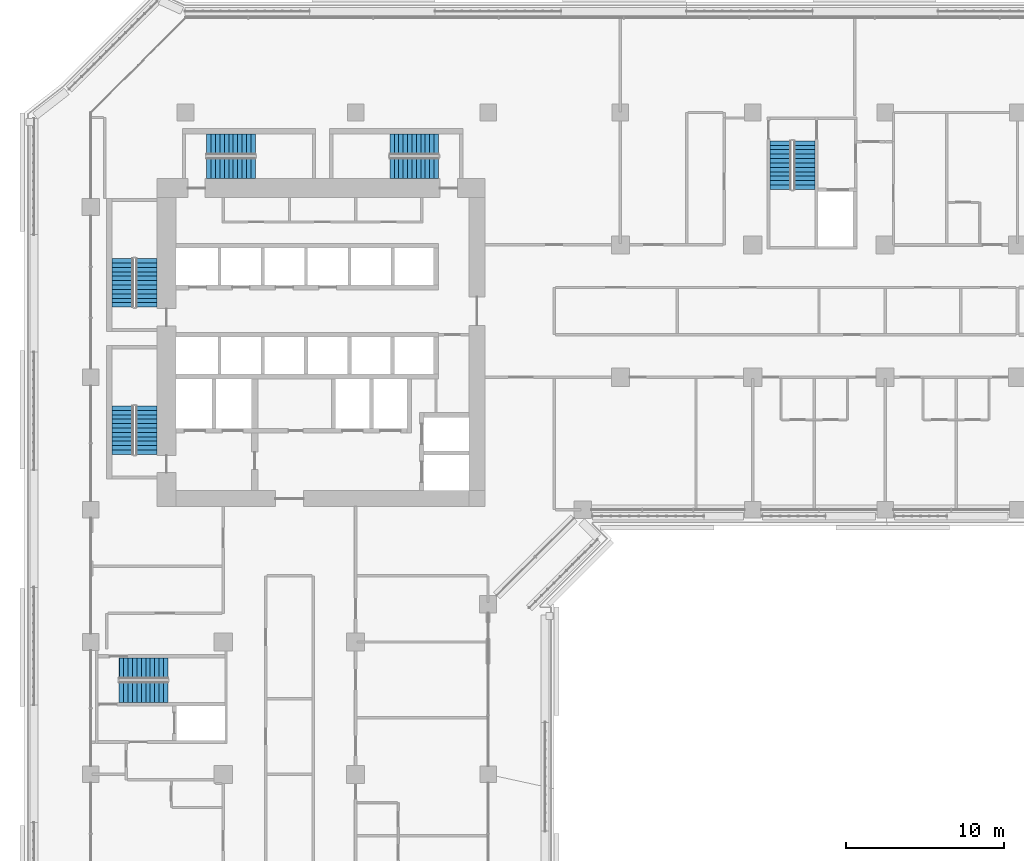
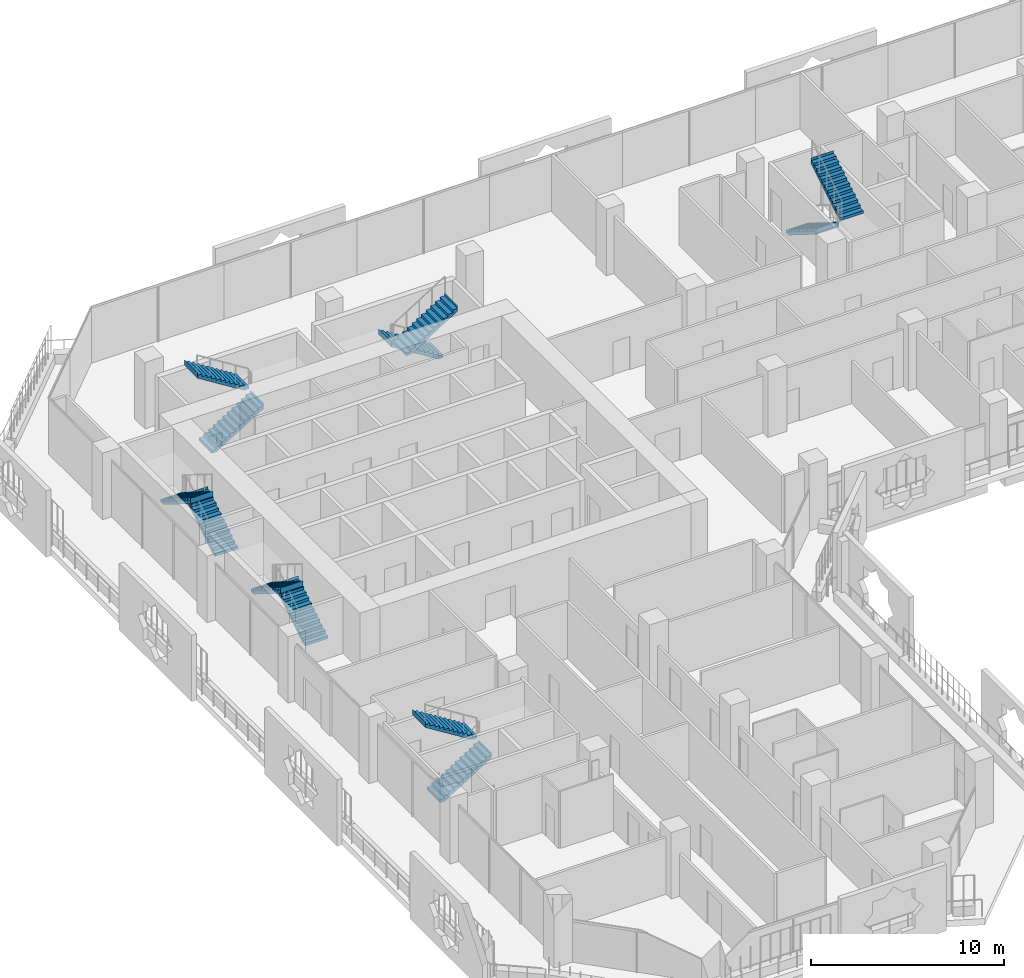
# One storey, part 18 of 25: 12 stair flights, 6 elements without a shape of their own.
"""IFC4 building model written with IfcOpenShell, lengths in metres."""

from ifc_helpers import new_model, si_unit, direction, frame, origin, place, context, subcontext, project, spatial, polyline, outline, extrude, material, type_object, element, aggregate, save


model = new_model("IFC4")

# Units and contexts
model_context = context("Model", 3, precision=1e-05, world=origin(), true_north=direction((0.0, 1.0)))
body_context = subcontext(model_context, "Body", "Model", "MODEL_VIEW")
ifc_project = project(units=[si_unit("LENGTHUNIT", "METRE"), si_unit("AREAUNIT", "SQUARE_METRE"), si_unit("VOLUMEUNIT", "CUBIC_METRE"), si_unit("PLANEANGLEUNIT", "RADIAN"), si_unit("MASSUNIT", "GRAM", prefix="KILO")], contexts=[model_context])

# Site, building, storey
site_placement = place(None, origin())
site = spatial("IfcSite", under=ifc_project, at=site_placement, CompositionType="ELEMENT")
building_placement = place(site_placement, origin())
building = spatial("IfcBuilding", under=site, at=building_placement, Name="Kawkab Arch Medical Tower", CompositionType="ELEMENT")
storey_placement = place(building_placement, frame((0.0, 0.0, 124.0)))
storey = spatial("IfcBuildingStorey", under=building, at=storey_placement, Name="L28", CompositionType="ELEMENT", Elevation=124.0)

# Stair, stair flights
ifc_material_1 = material(Name="Concrete C40/50", Category="concrete")
stair_type = type_object("IfcStairType", Name="Exit stair 1350", PredefinedType="HALF_TURN_STAIR", material=ifc_material_1)
placement = place(storey_placement, origin())
stair_1 = element("IfcStair", 1, at=placement, inside=storey, type_object=stair_type, Name="L28 Exit stair ST1", PredefinedType="HALF_TURN_STAIR")
ifc_material_2 = material(Name="Concrete C40/50", Category="concrete")
stair_flight_type = type_object("IfcStairFlightType", Name="Exit stair flight 1350", PredefinedType="STRAIGHT", material=ifc_material_2)
stair_flight_1_placement = place(storey_placement, frame((3.52490234375, -12.35009765625, 0.0), z_axis=(0.0, 0.0, 1.0), x_axis=(0.0, 1.0, 0.0)))
stair_flight_1 = element("IfcStairFlight", 2, at=stair_flight_1_placement, type_object=stair_flight_type, Name="ST1 flight 1", NumberOfRisers=12, NumberOfTreads=11, PredefinedType="STRAIGHT", RiserHeight=0.175, TreadLength=0.28, context=body_context, shape_type="SweptSolid", body=[
    extrude(outline(polyline([(-0.0029296875, 0.0), (-0.0029296875, 0.175048828125), (0.0, 0.175048828125), (0.280029296875, 0.175048828125), (0.280029296875, 0.35009765625), (0.56005859375, 0.35009765625), (0.56005859375, 0.52490234375), (0.840087890625, 0.52490234375), (0.840087890625, 0.699951171875), (1.1201171875, 0.699951171875), (1.1201171875, 0.875), (1.39990234375, 0.875), (1.39990234375, 1.050048828125), (1.679931640625, 1.050048828125), (1.679931640625, 1.22509765625), (1.9599609375, 1.22509765625), (1.9599609375, 1.39990234375), (2.239990234375, 1.39990234375), (2.239990234375, 1.574951171875), (2.52001953125, 1.574951171875), (2.52001953125, 1.75), (2.800048828125, 1.75), (2.800048828125, 1.925048828125), (3.080078125, 1.925048828125), (3.080078125, 2.10009765625), (3.0830078125, 2.10009765625), (3.0830078125, 1.748291015625), (3.080078125, 1.748291015625), (0.28271484375, 0.0), (-0.0029296875, 0.0)])), frame((0.0, 0.675048828125, 0.0), z_axis=(0.0, -1.0, 0.0), x_axis=(1.0, 0.0, 0.0)), (0.0, 0.0, 1.0), 1.35009765625),
])
stair_flight_2_placement = place(storey_placement, frame((2.02490234375, -9.27001953125, 2.10009765625), z_axis=(0.0, 0.0, 1.0), x_axis=(0.0, -1.0, 0.0)))
stair_flight_2 = element("IfcStairFlight", 3, at=stair_flight_2_placement, type_object=stair_flight_type, Name="ST1 flight 2", NumberOfRisers=12, NumberOfTreads=11, PredefinedType="STRAIGHT", RiserHeight=0.175, TreadLength=0.28, context=body_context, shape_type="SweptSolid", body=[
    extrude(outline(polyline([(-0.0029296875, 0.0), (-0.0029296875, 0.175048828125), (0.0, 0.175048828125), (0.280029296875, 0.175048828125), (0.280029296875, 0.35009765625), (0.56005859375, 0.35009765625), (0.56005859375, 0.52490234375), (0.840087890625, 0.52490234375), (0.840087890625, 0.699951171875), (1.1201171875, 0.699951171875), (1.1201171875, 0.875), (1.39990234375, 0.875), (1.39990234375, 1.050048828125), (1.679931640625, 1.050048828125), (1.679931640625, 1.22509765625), (1.9599609375, 1.22509765625), (1.9599609375, 1.39990234375), (2.239990234375, 1.39990234375), (2.239990234375, 1.574951171875), (2.52001953125, 1.574951171875), (2.52001953125, 1.75), (2.800048828125, 1.75), (2.800048828125, 1.925048828125), (3.080078125, 1.925048828125), (3.080078125, 2.10009765625), (3.0830078125, 2.10009765625), (3.0830078125, 1.748291015625), (3.080078125, 1.748291015625), (0.28271484375, 0.0), (-0.0029296875, 0.0)])), frame((0.0, 0.675048828125, 0.0), z_axis=(0.0, -1.0, 0.0), x_axis=(1.0, 0.0, 0.0)), (0.0, 0.0, 1.0), 1.35009765625),
])
aggregate(stair_1, [stair_flight_1, stair_flight_2])

stair_2 = element("IfcStair", 4, at=placement, inside=storey, type_object=stair_type, Name="L28 Exit stair ST2", PredefinedType="HALF_TURN_STAIR")
stair_flight_3_placement = place(storey_placement, frame((3.52490234375, -21.699951171875, 0.0), z_axis=(0.0, 0.0, 1.0), x_axis=(0.0, 1.0, 0.0)))
stair_flight_3 = element("IfcStairFlight", 5, at=stair_flight_3_placement, type_object=stair_flight_type, Name="ST2 flight 1", NumberOfRisers=12, NumberOfTreads=11, PredefinedType="STRAIGHT", RiserHeight=0.175, TreadLength=0.28, context=body_context, shape_type="SweptSolid", body=[
    extrude(outline(polyline([(-0.0029296875, 0.0), (-0.0029296875, 0.175048828125), (0.0, 0.175048828125), (0.280029296875, 0.175048828125), (0.280029296875, 0.35009765625), (0.56005859375, 0.35009765625), (0.56005859375, 0.52490234375), (0.840087890625, 0.52490234375), (0.840087890625, 0.699951171875), (1.1201171875, 0.699951171875), (1.1201171875, 0.875), (1.39990234375, 0.875), (1.39990234375, 1.050048828125), (1.679931640625, 1.050048828125), (1.679931640625, 1.22509765625), (1.9599609375, 1.22509765625), (1.9599609375, 1.39990234375), (2.239990234375, 1.39990234375), (2.239990234375, 1.574951171875), (2.52001953125, 1.574951171875), (2.52001953125, 1.75), (2.800048828125, 1.75), (2.800048828125, 1.925048828125), (3.080078125, 1.925048828125), (3.080078125, 2.10009765625), (3.0830078125, 2.10009765625), (3.0830078125, 1.748291015625), (3.080078125, 1.748291015625), (0.28271484375, 0.0), (-0.0029296875, 0.0)])), frame((0.0, 0.675048828125, 0.0), z_axis=(0.0, -1.0, 0.0), x_axis=(1.0, 0.0, 0.0)), (0.0, 0.0, 1.0), 1.35009765625),
])
stair_flight_4_placement = place(storey_placement, frame((2.02490234375, -18.6201171875, 2.10009765625), z_axis=(0.0, 0.0, 1.0), x_axis=(0.0, -1.0, 0.0)))
stair_flight_4 = element("IfcStairFlight", 6, at=stair_flight_4_placement, type_object=stair_flight_type, Name="ST2 flight 2", NumberOfRisers=12, NumberOfTreads=11, PredefinedType="STRAIGHT", RiserHeight=0.175, TreadLength=0.28, context=body_context, shape_type="SweptSolid", body=[
    extrude(outline(polyline([(-0.0029296875, 0.0), (-0.0029296875, 0.175048828125), (0.0, 0.175048828125), (0.280029296875, 0.175048828125), (0.280029296875, 0.35009765625), (0.56005859375, 0.35009765625), (0.56005859375, 0.52490234375), (0.840087890625, 0.52490234375), (0.840087890625, 0.699951171875), (1.1201171875, 0.699951171875), (1.1201171875, 0.875), (1.39990234375, 0.875), (1.39990234375, 1.050048828125), (1.679931640625, 1.050048828125), (1.679931640625, 1.22509765625), (1.9599609375, 1.22509765625), (1.9599609375, 1.39990234375), (2.239990234375, 1.39990234375), (2.239990234375, 1.574951171875), (2.52001953125, 1.574951171875), (2.52001953125, 1.75), (2.800048828125, 1.75), (2.800048828125, 1.925048828125), (3.080078125, 1.925048828125), (3.080078125, 2.10009765625), (3.0830078125, 2.10009765625), (3.0830078125, 1.748291015625), (3.080078125, 1.748291015625), (0.28271484375, 0.0), (-0.0029296875, 0.0)])), frame((0.0, 0.675048828125, 0.0), z_axis=(0.0, -1.0, 0.0), x_axis=(1.0, 0.0, 0.0)), (0.0, 0.0, 1.0), 1.35009765625),
])
aggregate(stair_2, [stair_flight_3, stair_flight_4])

stair_3 = element("IfcStair", 7, at=placement, inside=storey, type_object=stair_type, Name="L28 Exit stair ST3", PredefinedType="HALF_TURN_STAIR")
stair_flight_5_placement = place(storey_placement, frame((7.35009765625, -3.52490234375, 0.0), z_axis=(0.0, 0.0, 1.0), x_axis=(1.0, 0.0, 0.0)))
stair_flight_5 = element("IfcStairFlight", 8, at=stair_flight_5_placement, type_object=stair_flight_type, Name="ST3 flight 1", NumberOfRisers=12, NumberOfTreads=11, PredefinedType="STRAIGHT", RiserHeight=0.175, TreadLength=0.28, context=body_context, shape_type="SweptSolid", body=[
    extrude(outline(polyline([(-0.0029296875, 0.0), (-0.0029296875, 0.175048828125), (0.0, 0.175048828125), (0.280029296875, 0.175048828125), (0.280029296875, 0.35009765625), (0.56005859375, 0.35009765625), (0.56005859375, 0.52490234375), (0.840087890625, 0.52490234375), (0.840087890625, 0.699951171875), (1.1201171875, 0.699951171875), (1.1201171875, 0.875), (1.39990234375, 0.875), (1.39990234375, 1.050048828125), (1.679931640625, 1.050048828125), (1.679931640625, 1.22509765625), (1.9599609375, 1.22509765625), (1.9599609375, 1.39990234375), (2.239990234375, 1.39990234375), (2.239990234375, 1.574951171875), (2.52001953125, 1.574951171875), (2.52001953125, 1.75), (2.800048828125, 1.75), (2.800048828125, 1.925048828125), (3.080078125, 1.925048828125), (3.080078125, 2.10009765625), (3.0830078125, 2.10009765625), (3.0830078125, 1.748291015625), (3.080078125, 1.748291015625), (0.28271484375, 0.0), (-0.0029296875, 0.0)])), frame((0.0, 0.675048828125, 0.0), z_axis=(0.0, -1.0, 0.0), x_axis=(1.0, 0.0, 0.0)), (0.0, 0.0, 1.0), 1.35009765625),
])
stair_flight_6_placement = place(storey_placement, frame((10.429931640625, -2.02490234375, 2.10009765625), z_axis=(0.0, 0.0, 1.0), x_axis=(-1.0, 0.0, 0.0)))
stair_flight_6 = element("IfcStairFlight", 9, at=stair_flight_6_placement, type_object=stair_flight_type, Name="ST3 flight 2", NumberOfRisers=12, NumberOfTreads=11, PredefinedType="STRAIGHT", RiserHeight=0.175, TreadLength=0.28, context=body_context, shape_type="SweptSolid", body=[
    extrude(outline(polyline([(-0.0029296875, 0.0), (-0.0029296875, 0.175048828125), (0.0, 0.175048828125), (0.280029296875, 0.175048828125), (0.280029296875, 0.35009765625), (0.56005859375, 0.35009765625), (0.56005859375, 0.52490234375), (0.840087890625, 0.52490234375), (0.840087890625, 0.699951171875), (1.1201171875, 0.699951171875), (1.1201171875, 0.875), (1.39990234375, 0.875), (1.39990234375, 1.050048828125), (1.679931640625, 1.050048828125), (1.679931640625, 1.22509765625), (1.9599609375, 1.22509765625), (1.9599609375, 1.39990234375), (2.239990234375, 1.39990234375), (2.239990234375, 1.574951171875), (2.52001953125, 1.574951171875), (2.52001953125, 1.75), (2.800048828125, 1.75), (2.800048828125, 1.925048828125), (3.080078125, 1.925048828125), (3.080078125, 2.10009765625), (3.0830078125, 2.10009765625), (3.0830078125, 1.748291015625), (3.080078125, 1.748291015625), (0.28271484375, 0.0), (-0.0029296875, 0.0)])), frame((0.0, 0.675048828125, 0.0), z_axis=(0.0, -1.0, 0.0), x_axis=(1.0, 0.0, 0.0)), (0.0, 0.0, 1.0), 1.35009765625),
])
aggregate(stair_3, [stair_flight_5, stair_flight_6])

stair_4 = element("IfcStair", 10, at=placement, inside=storey, type_object=stair_type, Name="L28 Exit stair ST4", PredefinedType="HALF_TURN_STAIR")
stair_flight_7_placement = place(storey_placement, frame((22.050048828125, -2.02490234375, 0.0), z_axis=(0.0, 0.0, 1.0), x_axis=(-1.0, 0.0, 0.0)))
stair_flight_7 = element("IfcStairFlight", 11, at=stair_flight_7_placement, type_object=stair_flight_type, Name="ST4 flight 1", NumberOfRisers=12, NumberOfTreads=11, PredefinedType="STRAIGHT", RiserHeight=0.175, TreadLength=0.28, context=body_context, shape_type="SweptSolid", body=[
    extrude(outline(polyline([(-0.0029296875, 0.0), (-0.0029296875, 0.175048828125), (0.0, 0.175048828125), (0.280029296875, 0.175048828125), (0.280029296875, 0.35009765625), (0.56005859375, 0.35009765625), (0.56005859375, 0.52490234375), (0.840087890625, 0.52490234375), (0.840087890625, 0.699951171875), (1.1201171875, 0.699951171875), (1.1201171875, 0.875), (1.39990234375, 0.875), (1.39990234375, 1.050048828125), (1.679931640625, 1.050048828125), (1.679931640625, 1.22509765625), (1.9599609375, 1.22509765625), (1.9599609375, 1.39990234375), (2.239990234375, 1.39990234375), (2.239990234375, 1.574951171875), (2.52001953125, 1.574951171875), (2.52001953125, 1.75), (2.800048828125, 1.75), (2.800048828125, 1.925048828125), (3.080078125, 1.925048828125), (3.080078125, 2.10009765625), (3.0830078125, 2.10009765625), (3.0830078125, 1.748291015625), (3.080078125, 1.748291015625), (0.28271484375, 0.0), (-0.0029296875, 0.0)])), frame((0.0, 0.675048828125, 0.0), z_axis=(0.0, -1.0, 0.0), x_axis=(1.0, 0.0, 0.0)), (0.0, 0.0, 1.0), 1.35009765625),
])
stair_flight_8_placement = place(storey_placement, frame((18.969970703125, -3.52490234375, 2.10009765625), z_axis=(0.0, 0.0, 1.0), x_axis=(1.0, 0.0, 0.0)))
stair_flight_8 = element("IfcStairFlight", 12, at=stair_flight_8_placement, type_object=stair_flight_type, Name="ST4 flight 2", NumberOfRisers=12, NumberOfTreads=11, PredefinedType="STRAIGHT", RiserHeight=0.175, TreadLength=0.28, context=body_context, shape_type="SweptSolid", body=[
    extrude(outline(polyline([(-0.0029296875, 0.0), (-0.0029296875, 0.175048828125), (0.0, 0.175048828125), (0.280029296875, 0.175048828125), (0.280029296875, 0.35009765625), (0.56005859375, 0.35009765625), (0.56005859375, 0.52490234375), (0.840087890625, 0.52490234375), (0.840087890625, 0.699951171875), (1.1201171875, 0.699951171875), (1.1201171875, 0.875), (1.39990234375, 0.875), (1.39990234375, 1.050048828125), (1.679931640625, 1.050048828125), (1.679931640625, 1.22509765625), (1.9599609375, 1.22509765625), (1.9599609375, 1.39990234375), (2.239990234375, 1.39990234375), (2.239990234375, 1.574951171875), (2.52001953125, 1.574951171875), (2.52001953125, 1.75), (2.800048828125, 1.75), (2.800048828125, 1.925048828125), (3.080078125, 1.925048828125), (3.080078125, 2.10009765625), (3.0830078125, 2.10009765625), (3.0830078125, 1.748291015625), (3.080078125, 1.748291015625), (0.28271484375, 0.0), (-0.0029296875, 0.0)])), frame((0.0, 0.675048828125, 0.0), z_axis=(0.0, -1.0, 0.0), x_axis=(1.0, 0.0, 0.0)), (0.0, 0.0, 1.0), 1.35009765625),
])
aggregate(stair_4, [stair_flight_7, stair_flight_8])

stair_5 = element("IfcStair", 13, at=placement, inside=storey, type_object=stair_type, Name="L28 Exit stair ST5", PredefinedType="HALF_TURN_STAIR")
stair_flight_9_placement = place(storey_placement, frame((43.77490234375, -1.800048828125, 0.0), z_axis=(0.0, 0.0, 1.0), x_axis=(0.0, -1.0, 0.0)))
stair_flight_9 = element("IfcStairFlight", 14, at=stair_flight_9_placement, type_object=stair_flight_type, Name="ST5 flight 1", NumberOfRisers=12, NumberOfTreads=11, PredefinedType="STRAIGHT", RiserHeight=0.175, TreadLength=0.28, context=body_context, shape_type="SweptSolid", body=[
    extrude(outline(polyline([(-0.0029296875, 0.0), (-0.0029296875, 0.175048828125), (0.0, 0.175048828125), (0.280029296875, 0.175048828125), (0.280029296875, 0.35009765625), (0.56005859375, 0.35009765625), (0.56005859375, 0.52490234375), (0.840087890625, 0.52490234375), (0.840087890625, 0.699951171875), (1.1201171875, 0.699951171875), (1.1201171875, 0.875), (1.39990234375, 0.875), (1.39990234375, 1.050048828125), (1.679931640625, 1.050048828125), (1.679931640625, 1.22509765625), (1.9599609375, 1.22509765625), (1.9599609375, 1.39990234375), (2.239990234375, 1.39990234375), (2.239990234375, 1.574951171875), (2.52001953125, 1.574951171875), (2.52001953125, 1.75), (2.800048828125, 1.75), (2.800048828125, 1.925048828125), (3.080078125, 1.925048828125), (3.080078125, 2.10009765625), (3.0830078125, 2.10009765625), (3.0830078125, 1.748291015625), (3.080078125, 1.748291015625), (0.28271484375, 0.0), (-0.0029296875, 0.0)])), frame((0.0, 0.675048828125, 0.0), z_axis=(0.0, -1.0, 0.0), x_axis=(1.0, 0.0, 0.0)), (0.0, 0.0, 1.0), 1.35009765625),
])
stair_flight_10_placement = place(storey_placement, frame((45.27490234375, -4.8798828125, 2.10009765625), z_axis=(0.0, 0.0, 1.0), x_axis=(0.0, 1.0, 0.0)))
stair_flight_10 = element("IfcStairFlight", 15, at=stair_flight_10_placement, type_object=stair_flight_type, Name="ST5 flight 2", NumberOfRisers=12, NumberOfTreads=11, PredefinedType="STRAIGHT", RiserHeight=0.175, TreadLength=0.28, context=body_context, shape_type="SweptSolid", body=[
    extrude(outline(polyline([(-0.0029296875, 0.0), (-0.0029296875, 0.175048828125), (0.0, 0.175048828125), (0.280029296875, 0.175048828125), (0.280029296875, 0.35009765625), (0.56005859375, 0.35009765625), (0.56005859375, 0.52490234375), (0.840087890625, 0.52490234375), (0.840087890625, 0.699951171875), (1.1201171875, 0.699951171875), (1.1201171875, 0.875), (1.39990234375, 0.875), (1.39990234375, 1.050048828125), (1.679931640625, 1.050048828125), (1.679931640625, 1.22509765625), (1.9599609375, 1.22509765625), (1.9599609375, 1.39990234375), (2.239990234375, 1.39990234375), (2.239990234375, 1.574951171875), (2.52001953125, 1.574951171875), (2.52001953125, 1.75), (2.800048828125, 1.75), (2.800048828125, 1.925048828125), (3.080078125, 1.925048828125), (3.080078125, 2.10009765625), (3.0830078125, 2.10009765625), (3.0830078125, 1.748291015625), (3.080078125, 1.748291015625), (0.28271484375, 0.0), (-0.0029296875, 0.0)])), frame((0.0, 0.675048828125, 0.0), z_axis=(0.0, -1.0, 0.0), x_axis=(1.0, 0.0, 0.0)), (0.0, 0.0, 1.0), 1.35009765625),
])
aggregate(stair_5, [stair_flight_9, stair_flight_10])

stair_6 = element("IfcStair", 16, at=placement, inside=storey, type_object=stair_type, Name="L28 Exit stair ST6", PredefinedType="HALF_TURN_STAIR")
stair_flight_11_placement = place(storey_placement, frame((1.800048828125, -36.77490234375, 0.0), z_axis=(0.0, 0.0, 1.0), x_axis=(1.0, 0.0, 0.0)))
stair_flight_11 = element("IfcStairFlight", 17, at=stair_flight_11_placement, type_object=stair_flight_type, Name="ST6 flight 1", NumberOfRisers=12, NumberOfTreads=11, PredefinedType="STRAIGHT", RiserHeight=0.175, TreadLength=0.28, context=body_context, shape_type="SweptSolid", body=[
    extrude(outline(polyline([(-0.0029296875, 0.0), (-0.0029296875, 0.175048828125), (0.0, 0.175048828125), (0.280029296875, 0.175048828125), (0.280029296875, 0.35009765625), (0.56005859375, 0.35009765625), (0.56005859375, 0.52490234375), (0.840087890625, 0.52490234375), (0.840087890625, 0.699951171875), (1.1201171875, 0.699951171875), (1.1201171875, 0.875), (1.39990234375, 0.875), (1.39990234375, 1.050048828125), (1.679931640625, 1.050048828125), (1.679931640625, 1.22509765625), (1.9599609375, 1.22509765625), (1.9599609375, 1.39990234375), (2.239990234375, 1.39990234375), (2.239990234375, 1.574951171875), (2.52001953125, 1.574951171875), (2.52001953125, 1.75), (2.800048828125, 1.75), (2.800048828125, 1.925048828125), (3.080078125, 1.925048828125), (3.080078125, 2.10009765625), (3.0830078125, 2.10009765625), (3.0830078125, 1.748291015625), (3.080078125, 1.748291015625), (0.28271484375, 0.0), (-0.0029296875, 0.0)])), frame((0.0, 0.675048828125, 0.0), z_axis=(0.0, -1.0, 0.0), x_axis=(1.0, 0.0, 0.0)), (0.0, 0.0, 1.0), 1.35009765625),
])
stair_flight_12_placement = place(storey_placement, frame((4.8798828125, -35.27490234375, 2.10009765625), z_axis=(0.0, 0.0, 1.0), x_axis=(-1.0, 0.0, 0.0)))
stair_flight_12 = element("IfcStairFlight", 18, at=stair_flight_12_placement, type_object=stair_flight_type, Name="ST6 flight 2", NumberOfRisers=12, NumberOfTreads=11, PredefinedType="STRAIGHT", RiserHeight=0.175, TreadLength=0.28, context=body_context, shape_type="SweptSolid", body=[
    extrude(outline(polyline([(-0.0029296875, 0.0), (-0.0029296875, 0.175048828125), (0.0, 0.175048828125), (0.280029296875, 0.175048828125), (0.280029296875, 0.35009765625), (0.56005859375, 0.35009765625), (0.56005859375, 0.52490234375), (0.840087890625, 0.52490234375), (0.840087890625, 0.699951171875), (1.1201171875, 0.699951171875), (1.1201171875, 0.875), (1.39990234375, 0.875), (1.39990234375, 1.050048828125), (1.679931640625, 1.050048828125), (1.679931640625, 1.22509765625), (1.9599609375, 1.22509765625), (1.9599609375, 1.39990234375), (2.239990234375, 1.39990234375), (2.239990234375, 1.574951171875), (2.52001953125, 1.574951171875), (2.52001953125, 1.75), (2.800048828125, 1.75), (2.800048828125, 1.925048828125), (3.080078125, 1.925048828125), (3.080078125, 2.10009765625), (3.0830078125, 2.10009765625), (3.0830078125, 1.748291015625), (3.080078125, 1.748291015625), (0.28271484375, 0.0), (-0.0029296875, 0.0)])), frame((0.0, 0.675048828125, 0.0), z_axis=(0.0, -1.0, 0.0), x_axis=(1.0, 0.0, 0.0)), (0.0, 0.0, 1.0), 1.35009765625),
])
aggregate(stair_6, [stair_flight_11, stair_flight_12])

save(model, "model.ifc")
